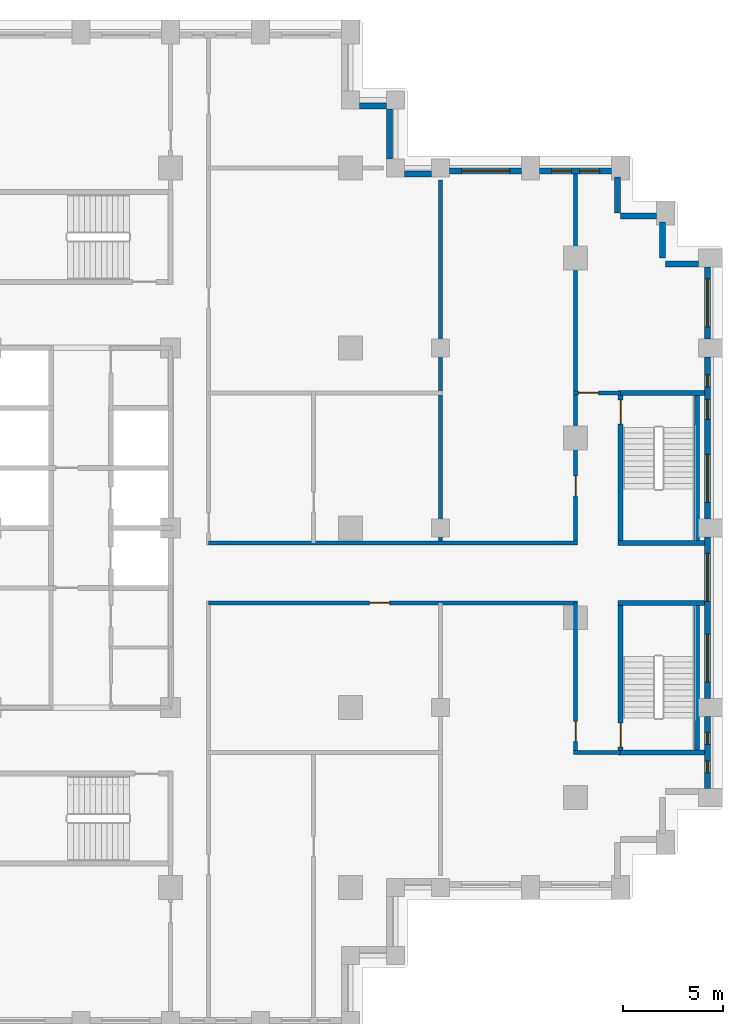
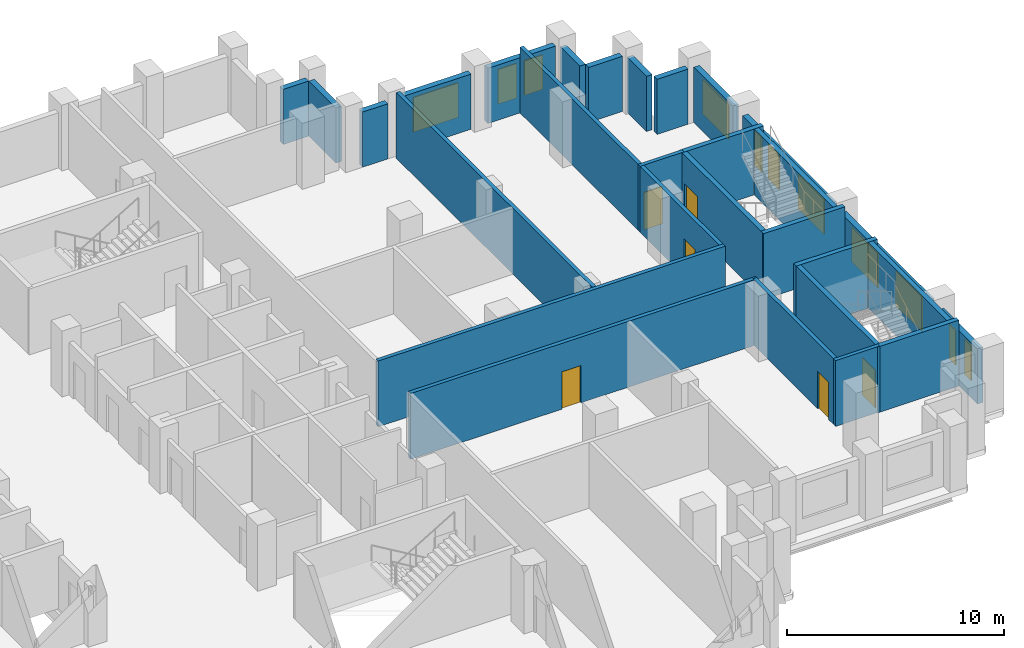
# One storey, part 12 of 16: 28 walls, 11 windows, 6 doors, 17 openings.
"""IFC4 building model written with IfcOpenShell, lengths in metres."""

from ifc_helpers import new_model, si_unit, direction, frame, frame_2d, origin, place, context, subcontext, project, spatial, rectangle, extrude, material, layer, layer_set, type_object, element, fill, save


model = new_model("IFC4")

# Units and contexts
model_context = context("Model", 3, precision=1e-05, world=origin(), true_north=direction((0.0, 1.0)))
body_context = subcontext(model_context, "Body", "Model", "MODEL_VIEW")
ifc_project = project(units=[si_unit("LENGTHUNIT", "METRE"), si_unit("AREAUNIT", "SQUARE_METRE"), si_unit("VOLUMEUNIT", "CUBIC_METRE"), si_unit("PLANEANGLEUNIT", "RADIAN"), si_unit("MASSUNIT", "GRAM", prefix="KILO")], contexts=[model_context])

# Site, building, storey
site_placement = place(None, origin())
site = spatial("IfcSite", under=ifc_project, at=site_placement, CompositionType="ELEMENT")
building_placement = place(site_placement, origin())
building = spatial("IfcBuilding", under=site, at=building_placement, Name="Corbelhall Arena Tower", CompositionType="ELEMENT")
storey_placement = place(building_placement, frame((0.0, 0.0, 72.0)))
storey = spatial("IfcBuildingStorey", under=building, at=storey_placement, Name="L10", CompositionType="ELEMENT", Elevation=72.0)

# Walls
ifc_material_1 = material(Name="Precast concrete C40/50 with granite facing", Category="masonry")
ifc_layer_1 = layer(ifc_material_1, 0.300048828125)
ifc_layer_set_1 = layer_set([ifc_layer_1], Name="EV-IW1 Infill panel 300")
wall_type_1 = type_object("IfcWallType", Name="EV-IW1 Infill panel 300", PredefinedType="SOLIDWALL", material=ifc_layer_set_1)
wall_1_placement = place(storey_placement, frame((39.89990234375, 13.199951171875, 0.0), z_axis=(0.0, 0.0, 1.0), x_axis=(-1.0, 0.0, 0.0)))
element("IfcWall", 1, at=wall_1_placement, inside=storey, type_object=wall_type_1, Name="Infill panel IW1", PredefinedType="SOLIDWALL", context=body_context, shape_type="SweptSolid", body=[
    extrude(rectangle(XDim=1.64990234375, YDim=0.300048828125, at=frame_2d((0.824951171875, 0.0))), origin(), (0.0, 0.0, 1.0), 3.10009765625),
])
for number, where, z_axis, x_axis, name in (
    (2, (38.10009765625, 15.300048828125, 0.0), (0.0, 0.0, 1.0), (0.0, -1.0, 0.0), "Infill panel IW1"),
    (3, (37.800048828125, 15.60009765625, 0.0), (0.0, 0.0, 1.0), (-1.0, 0.0, 0.0), "Infill panel IW1"),
    (4, (35.85009765625, 17.550048828125, 0.0), (0.0, 0.0, 1.0), (0.0, -1.0, 0.0), "Infill panel IW1"),
):
    element("IfcWall", number, at=place(storey_placement, frame(where, z_axis=z_axis, x_axis=x_axis)), inside=storey, type_object=wall_type_1, Name=name, PredefinedType="SOLIDWALL", context=body_context, shape_type="SweptSolid", body=[
        extrude(rectangle(XDim=1.800048828125, YDim=0.300048828125, at=frame_2d((0.89990234375, 0.0))), origin(), (0.0, 0.0, 1.0), 3.10009765625),
    ])

# Wall, openings, windows
wall_2_placement = place(storey_placement, frame((40.35009765625, -13.050048828125, 0.0), z_axis=(0.0, 0.0, 1.0), x_axis=(0.0, 1.0, 0.0)))
wall_2 = element("IfcWall", 5, at=wall_2_placement, inside=storey, type_object=wall_type_1, Name="Infill panel IW1", PredefinedType="SOLIDWALL", context=body_context, shape_type="SweptSolid", body=[
    extrude(rectangle(XDim=3.60009765625, YDim=0.300048828125, at=frame_2d((1.800048828125, 0.0))), origin(), (0.0, 0.0, 1.0), 3.10009765625),
])
opening_1_placement = place(wall_2_placement, frame((0.78759765625, 0.0, 0.800048828125)))
opening_1 = element("IfcOpeningElement", 6, at=opening_1_placement, cuts=wall_2, Name="Opening WN5", PredefinedType="OPENING", context=body_context, shape_type="SweptSolid", body=[
    extrude(rectangle(XDim=0.60009765625, YDim=1.949951171875, at=frame_2d((0.300048828125, 0.97509765625))), frame((0.0, 0.14990234375, 0.0), z_axis=(0.0, -1.0, 0.0), x_axis=(1.0, 0.0, 0.0)), (0.0, 0.0, 1.0), 0.300048828125),
])
opening_2_placement = place(wall_2_placement, frame((2.21240234375, 0.0, 0.800048828125)))
opening_2 = element("IfcOpeningElement", 7, at=opening_2_placement, cuts=wall_2, Name="Opening WN5", PredefinedType="OPENING", context=body_context, shape_type="SweptSolid", body=[
    extrude(rectangle(XDim=0.60009765625, YDim=1.949951171875, at=frame_2d((0.300048828125, 0.97509765625))), frame((0.0, 0.14990234375, 0.0), z_axis=(0.0, -1.0, 0.0), x_axis=(1.0, 0.0, 0.0)), (0.0, 0.0, 1.0), 0.300048828125),
])
ifc_material_2 = material(Name="Aluminium black anodised", Category="aluminium")
window_type_1 = type_object("IfcWindowType", Name="EV-WN5 Office window 600", PartitioningType="SINGLE_PANEL", PredefinedType="WINDOW", material=ifc_material_2)
window_1_placement = place(opening_1_placement, origin())
window_1 = element("IfcWindow", 8, at=window_1_placement, inside=storey, type_object=window_type_1, Name="Window WN5", OverallHeight=1.949951171875, OverallWidth=0.60009765625, PartitioningType="SINGLE_PANEL", PredefinedType="WINDOW", context=body_context, shape_type="SweptSolid", body=[
    extrude(rectangle(XDim=0.60009765625, YDim=1.949951171875, at=frame_2d((0.300048828125, 0.97509765625))), frame((0.0, 0.030029296875, 0.0), z_axis=(0.0, -1.0, 0.0), x_axis=(1.0, 0.0, 0.0)), (0.0, 0.0, 1.0), 0.06005859375),
])
fill(opening_1, window_1)
window_2_placement = place(opening_2_placement, origin())
window_2 = element("IfcWindow", 9, at=window_2_placement, inside=storey, type_object=window_type_1, Name="Window WN5", OverallHeight=1.949951171875, OverallWidth=0.60009765625, PartitioningType="SINGLE_PANEL", PredefinedType="WINDOW", context=body_context, shape_type="SweptSolid", body=[
    extrude(rectangle(XDim=0.60009765625, YDim=1.949951171875, at=frame_2d((0.300048828125, 0.97509765625))), frame((0.0, 0.030029296875, 0.0), z_axis=(0.0, -1.0, 0.0), x_axis=(1.0, 0.0, 0.0)), (0.0, 0.0, 1.0), 0.06005859375),
])
fill(opening_2, window_2)

wall_3_placement = place(storey_placement, frame((40.35009765625, -8.550048828125, 0.0), z_axis=(0.0, 0.0, 1.0), x_axis=(0.0, 1.0, 0.0)))
wall_3 = element("IfcWall", 10, at=wall_3_placement, inside=storey, type_object=wall_type_1, Name="Infill panel IW1", PredefinedType="SOLIDWALL", context=body_context, shape_type="SweptSolid", body=[
    extrude(rectangle(XDim=8.10009765625, YDim=0.300048828125, at=frame_2d((4.050048828125, 0.0))), origin(), (0.0, 0.0, 1.0), 3.10009765625),
])
opening_3_placement = place(wall_3_placement, frame((0.824951171875, 0.0, 0.800048828125)))
opening_3 = element("IfcOpeningElement", 11, at=opening_3_placement, cuts=wall_3, Name="Opening WN1", PredefinedType="OPENING", context=body_context, shape_type="SweptSolid", body=[
    extrude(rectangle(XDim=2.39990234375, YDim=1.949951171875, at=frame_2d((1.199951171875, 0.97509765625))), frame((0.0, 0.14990234375, 0.0), z_axis=(0.0, -1.0, 0.0), x_axis=(1.0, 0.0, 0.0)), (0.0, 0.0, 1.0), 0.300048828125),
])
opening_4_placement = place(wall_3_placement, frame((4.875, 0.0, 0.800048828125)))
opening_4 = element("IfcOpeningElement", 12, at=opening_4_placement, cuts=wall_3, Name="Opening WN1", PredefinedType="OPENING", context=body_context, shape_type="SweptSolid", body=[
    extrude(rectangle(XDim=2.39990234375, YDim=1.949951171875, at=frame_2d((1.199951171875, 0.97509765625))), frame((0.0, 0.14990234375, 0.0), z_axis=(0.0, -1.0, 0.0), x_axis=(1.0, 0.0, 0.0)), (0.0, 0.0, 1.0), 0.300048828125),
])
window_type_2 = type_object("IfcWindowType", Name="EV-WN1 Office window", PartitioningType="SINGLE_PANEL", PredefinedType="WINDOW", material=ifc_material_2)
window_3_placement = place(opening_3_placement, origin())
window_3 = element("IfcWindow", 13, at=window_3_placement, inside=storey, type_object=window_type_2, Name="Window WN1", OverallHeight=1.949951171875, OverallWidth=2.39990234375, PartitioningType="SINGLE_PANEL", PredefinedType="WINDOW", context=body_context, shape_type="SweptSolid", body=[
    extrude(rectangle(XDim=2.39990234375, YDim=1.949951171875, at=frame_2d((1.199951171875, 0.97509765625))), frame((0.0, 0.030029296875, 0.0), z_axis=(0.0, -1.0, 0.0), x_axis=(1.0, 0.0, 0.0)), (0.0, 0.0, 1.0), 0.06005859375),
])
fill(opening_3, window_3)
window_4_placement = place(opening_4_placement, origin())
window_4 = element("IfcWindow", 14, at=window_4_placement, inside=storey, type_object=window_type_2, Name="Window WN1", OverallHeight=1.949951171875, OverallWidth=2.39990234375, PartitioningType="SINGLE_PANEL", PredefinedType="WINDOW", context=body_context, shape_type="SweptSolid", body=[
    extrude(rectangle(XDim=2.39990234375, YDim=1.949951171875, at=frame_2d((1.199951171875, 0.97509765625))), frame((0.0, 0.030029296875, 0.0), z_axis=(0.0, -1.0, 0.0), x_axis=(1.0, 0.0, 0.0)), (0.0, 0.0, 1.0), 0.06005859375),
])
fill(opening_4, window_4)

wall_4_placement = place(storey_placement, frame((40.35009765625, 0.449951171875, 0.0), z_axis=(0.0, 0.0, 1.0), x_axis=(0.0, 1.0, 0.0)))
wall_4 = element("IfcWall", 15, at=wall_4_placement, inside=storey, type_object=wall_type_1, Name="Infill panel IW1", PredefinedType="SOLIDWALL", context=body_context, shape_type="SweptSolid", body=[
    extrude(rectangle(XDim=8.10009765625, YDim=0.300048828125, at=frame_2d((4.050048828125, 0.0))), origin(), (0.0, 0.0, 1.0), 3.10009765625),
])
opening_5_placement = place(wall_4_placement, frame((0.824951171875, 0.0, 0.800048828125)))
opening_5 = element("IfcOpeningElement", 16, at=opening_5_placement, cuts=wall_4, Name="Opening WN1", PredefinedType="OPENING", context=body_context, shape_type="SweptSolid", body=[
    extrude(rectangle(XDim=2.39990234375, YDim=1.949951171875, at=frame_2d((1.199951171875, 0.97509765625))), frame((0.0, 0.14990234375, 0.0), z_axis=(0.0, -1.0, 0.0), x_axis=(1.0, 0.0, 0.0)), (0.0, 0.0, 1.0), 0.300048828125),
])
opening_6_placement = place(wall_4_placement, frame((4.97509765625, 0.0, 0.800048828125)))
opening_6 = element("IfcOpeningElement", 17, at=opening_6_placement, cuts=wall_4, Name="Opening WN6", PredefinedType="OPENING", context=body_context, shape_type="SweptSolid", body=[
    extrude(rectangle(XDim=1.0, YDim=1.949951171875, at=frame_2d((0.5, 0.97509765625))), frame((0.0, 0.14990234375, 0.0), z_axis=(0.0, -1.0, 0.0), x_axis=(1.0, 0.0, 0.0)), (0.0, 0.0, 1.0), 0.300048828125),
])
opening_7_placement = place(wall_4_placement, frame((6.60009765625, 0.0, 0.800048828125)))
opening_7 = element("IfcOpeningElement", 18, at=opening_7_placement, cuts=wall_4, Name="Opening WN5", PredefinedType="OPENING", context=body_context, shape_type="SweptSolid", body=[
    extrude(rectangle(XDim=0.60009765625, YDim=1.949951171875, at=frame_2d((0.300048828125, 0.97509765625))), frame((0.0, 0.14990234375, 0.0), z_axis=(0.0, -1.0, 0.0), x_axis=(1.0, 0.0, 0.0)), (0.0, 0.0, 1.0), 0.300048828125),
])
window_5_placement = place(opening_5_placement, origin())
window_5 = element("IfcWindow", 19, at=window_5_placement, inside=storey, type_object=window_type_2, Name="Window WN1", OverallHeight=1.949951171875, OverallWidth=2.39990234375, PartitioningType="SINGLE_PANEL", PredefinedType="WINDOW", context=body_context, shape_type="SweptSolid", body=[
    extrude(rectangle(XDim=2.39990234375, YDim=1.949951171875, at=frame_2d((1.199951171875, 0.97509765625))), frame((0.0, 0.030029296875, 0.0), z_axis=(0.0, -1.0, 0.0), x_axis=(1.0, 0.0, 0.0)), (0.0, 0.0, 1.0), 0.06005859375),
])
fill(opening_5, window_5)
window_6_placement = place(opening_7_placement, origin())
window_6 = element("IfcWindow", 20, at=window_6_placement, inside=storey, type_object=window_type_1, Name="Window WN5", OverallHeight=1.949951171875, OverallWidth=0.60009765625, PartitioningType="SINGLE_PANEL", PredefinedType="WINDOW", context=body_context, shape_type="SweptSolid", body=[
    extrude(rectangle(XDim=0.60009765625, YDim=1.949951171875, at=frame_2d((0.300048828125, 0.97509765625))), frame((0.0, 0.030029296875, 0.0), z_axis=(0.0, -1.0, 0.0), x_axis=(1.0, 0.0, 0.0)), (0.0, 0.0, 1.0), 0.06005859375),
])
fill(opening_7, window_6)
window_type_3 = type_object("IfcWindowType", Name="EV-WN6 Office window 1000", PartitioningType="SINGLE_PANEL", PredefinedType="WINDOW", material=ifc_material_2)
window_7_placement = place(opening_6_placement, origin())
window_7 = element("IfcWindow", 21, at=window_7_placement, inside=storey, type_object=window_type_3, Name="Window WN6", OverallHeight=1.949951171875, OverallWidth=1.0, PartitioningType="SINGLE_PANEL", PredefinedType="WINDOW", context=body_context, shape_type="SweptSolid", body=[
    extrude(rectangle(XDim=1.0, YDim=1.949951171875, at=frame_2d((0.5, 0.97509765625))), frame((0.0, 0.030029296875, 0.0), z_axis=(0.0, -1.0, 0.0), x_axis=(1.0, 0.0, 0.0)), (0.0, 0.0, 1.0), 0.06005859375),
])
fill(opening_6, window_7)

# Wall, opening, window
wall_5_placement = place(storey_placement, frame((40.35009765625, 9.449951171875, 0.0), z_axis=(0.0, 0.0, 1.0), x_axis=(0.0, 1.0, 0.0)))
wall_5 = element("IfcWall", 22, at=wall_5_placement, inside=storey, type_object=wall_type_1, Name="Infill panel IW1", PredefinedType="SOLIDWALL", context=body_context, shape_type="SweptSolid", body=[
    extrude(rectangle(XDim=3.60009765625, YDim=0.300048828125, at=frame_2d((1.800048828125, 0.0))), origin(), (0.0, 0.0, 1.0), 3.10009765625),
])
opening_8_placement = place(wall_5_placement, frame((0.60009765625, 0.0, 0.800048828125)))
opening_8 = element("IfcOpeningElement", 23, at=opening_8_placement, cuts=wall_5, Name="Opening WN1", PredefinedType="OPENING", context=body_context, shape_type="SweptSolid", body=[
    extrude(rectangle(XDim=2.39990234375, YDim=1.949951171875, at=frame_2d((1.199951171875, 0.97509765625))), frame((0.0, 0.14990234375, 0.0), z_axis=(0.0, -1.0, 0.0), x_axis=(1.0, 0.0, 0.0)), (0.0, 0.0, 1.0), 0.300048828125),
])
window_8_placement = place(opening_8_placement, origin())
window_8 = element("IfcWindow", 24, at=window_8_placement, inside=storey, type_object=window_type_2, Name="Window WN1", OverallHeight=1.949951171875, OverallWidth=2.39990234375, PartitioningType="SINGLE_PANEL", PredefinedType="WINDOW", context=body_context, shape_type="SweptSolid", body=[
    extrude(rectangle(XDim=2.39990234375, YDim=1.949951171875, at=frame_2d((1.199951171875, 0.97509765625))), frame((0.0, 0.030029296875, 0.0), z_axis=(0.0, -1.0, 0.0), x_axis=(1.0, 0.0, 0.0)), (0.0, 0.0, 1.0), 0.06005859375),
])
fill(opening_8, window_8)

# Wall, openings, windows
wall_6_placement = place(storey_placement, frame((35.550048828125, 17.85009765625, 0.0), z_axis=(0.0, 0.0, 1.0), x_axis=(-1.0, 0.0, 0.0)))
wall_6 = element("IfcWall", 25, at=wall_6_placement, inside=storey, type_object=wall_type_1, Name="Infill panel IW1", PredefinedType="SOLIDWALL", context=body_context, shape_type="SweptSolid", body=[
    extrude(rectangle(XDim=3.60009765625, YDim=0.300048828125, at=frame_2d((1.800048828125, 0.0))), origin(), (0.0, 0.0, 1.0), 3.10009765625),
])
opening_9_placement = place(wall_6_placement, frame((0.60009765625, 0.0, 0.800048828125)))
opening_9 = element("IfcOpeningElement", 26, at=opening_9_placement, cuts=wall_6, Name="Opening WN6", PredefinedType="OPENING", context=body_context, shape_type="SweptSolid", body=[
    extrude(rectangle(XDim=1.0, YDim=1.949951171875, at=frame_2d((0.5, 0.97509765625))), frame((0.0, 0.14990234375, 0.0), z_axis=(0.0, -1.0, 0.0), x_axis=(1.0, 0.0, 0.0)), (0.0, 0.0, 1.0), 0.300048828125),
])
opening_10_placement = place(wall_6_placement, frame((2.0, 0.0, 0.800048828125)))
opening_10 = element("IfcOpeningElement", 27, at=opening_10_placement, cuts=wall_6, Name="Opening WN6", PredefinedType="OPENING", context=body_context, shape_type="SweptSolid", body=[
    extrude(rectangle(XDim=1.0, YDim=1.949951171875, at=frame_2d((0.5, 0.97509765625))), frame((0.0, 0.14990234375, 0.0), z_axis=(0.0, -1.0, 0.0), x_axis=(1.0, 0.0, 0.0)), (0.0, 0.0, 1.0), 0.300048828125),
])
window_9_placement = place(opening_9_placement, origin())
window_9 = element("IfcWindow", 28, at=window_9_placement, inside=storey, type_object=window_type_3, Name="Window WN6", OverallHeight=1.949951171875, OverallWidth=1.0, PartitioningType="SINGLE_PANEL", PredefinedType="WINDOW", context=body_context, shape_type="SweptSolid", body=[
    extrude(rectangle(XDim=1.0, YDim=1.949951171875, at=frame_2d((0.5, 0.97509765625))), frame((0.0, 0.030029296875, 0.0), z_axis=(0.0, -1.0, 0.0), x_axis=(1.0, 0.0, 0.0)), (0.0, 0.0, 1.0), 0.06005859375),
])
fill(opening_9, window_9)
window_10_placement = place(opening_10_placement, origin())
window_10 = element("IfcWindow", 29, at=window_10_placement, inside=storey, type_object=window_type_3, Name="Window WN6", OverallHeight=1.949951171875, OverallWidth=1.0, PartitioningType="SINGLE_PANEL", PredefinedType="WINDOW", context=body_context, shape_type="SweptSolid", body=[
    extrude(rectangle(XDim=1.0, YDim=1.949951171875, at=frame_2d((0.5, 0.97509765625))), frame((0.0, 0.030029296875, 0.0), z_axis=(0.0, -1.0, 0.0), x_axis=(1.0, 0.0, 0.0)), (0.0, 0.0, 1.0), 0.06005859375),
])
fill(opening_10, window_10)

# Wall, opening, window
wall_7_placement = place(storey_placement, frame((31.050048828125, 17.85009765625, 0.0), z_axis=(0.0, 0.0, 1.0), x_axis=(-1.0, 0.0, 0.0)))
wall_7 = element("IfcWall", 30, at=wall_7_placement, inside=storey, type_object=wall_type_1, Name="Infill panel IW1", PredefinedType="SOLIDWALL", context=body_context, shape_type="SweptSolid", body=[
    extrude(rectangle(XDim=3.60009765625, YDim=0.300048828125, at=frame_2d((1.800048828125, 0.0))), origin(), (0.0, 0.0, 1.0), 3.10009765625),
])
opening_11_placement = place(wall_7_placement, frame((0.60009765625, 0.0, 0.800048828125)))
opening_11 = element("IfcOpeningElement", 31, at=opening_11_placement, cuts=wall_7, Name="Opening WN1", PredefinedType="OPENING", context=body_context, shape_type="SweptSolid", body=[
    extrude(rectangle(XDim=2.39990234375, YDim=1.949951171875, at=frame_2d((1.199951171875, 0.97509765625))), frame((0.0, 0.14990234375, 0.0), z_axis=(0.0, -1.0, 0.0), x_axis=(1.0, 0.0, 0.0)), (0.0, 0.0, 1.0), 0.300048828125),
])
window_11_placement = place(opening_11_placement, origin())
window_11 = element("IfcWindow", 32, at=window_11_placement, inside=storey, type_object=window_type_2, Name="Window WN1", OverallHeight=1.949951171875, OverallWidth=2.39990234375, PartitioningType="SINGLE_PANEL", PredefinedType="WINDOW", context=body_context, shape_type="SweptSolid", body=[
    extrude(rectangle(XDim=2.39990234375, YDim=1.949951171875, at=frame_2d((1.199951171875, 0.97509765625))), frame((0.0, 0.030029296875, 0.0), z_axis=(0.0, -1.0, 0.0), x_axis=(1.0, 0.0, 0.0)), (0.0, 0.0, 1.0), 0.06005859375),
])
fill(opening_11, window_11)

# Walls
wall_8_placement = place(storey_placement, frame((26.550048828125, 17.699951171875, 0.0), z_axis=(0.0, 0.0, 1.0), x_axis=(-1.0, 0.0, 0.0)))
element("IfcWall", 33, at=wall_8_placement, inside=storey, type_object=wall_type_1, Name="Infill panel IW1", PredefinedType="SOLIDWALL", context=body_context, shape_type="SweptSolid", body=[
    extrude(rectangle(XDim=1.35009765625, YDim=0.300048828125, at=frame_2d((0.675048828125, 0.0))), origin(), (0.0, 0.0, 1.0), 3.10009765625),
])
wall_9_placement = place(storey_placement, frame((24.449951171875, 18.449951171875, 0.0), z_axis=(0.0, 0.0, 1.0), x_axis=(0.0, 1.0, 0.0)))
element("IfcWall", 34, at=wall_9_placement, inside=storey, type_object=wall_type_1, Name="Infill panel IW1", PredefinedType="SOLIDWALL", context=body_context, shape_type="SweptSolid", body=[
    extrude(rectangle(XDim=2.5, YDim=0.300048828125, at=frame_2d((1.25, 0.0))), origin(), (0.0, 0.0, 1.0), 3.10009765625),
])
wall_10_placement = place(storey_placement, frame((24.300048828125, 21.10009765625, 0.0), z_axis=(0.0, 0.0, 1.0), x_axis=(-1.0, 0.0, 0.0)))
element("IfcWall", 35, at=wall_10_placement, inside=storey, type_object=wall_type_1, Name="Infill panel IW1", PredefinedType="SOLIDWALL", context=body_context, shape_type="SweptSolid", body=[
    extrude(rectangle(XDim=1.35009765625, YDim=0.300048828125, at=frame_2d((0.675048828125, 0.0))), origin(), (0.0, 0.0, 1.0), 3.10009765625),
])
ifc_material_3 = material(Name="Gypsum board on steel stud, acoustic", Category="steel")
ifc_layer_2 = layer(ifc_material_3, 0.199951171875)
ifc_layer_set_2 = layer_set([ifc_layer_2], Name="IN-W-DM200")
wall_type_2 = type_object("IfcWallType", Name="IN-W-DM200", PredefinedType="PARTITIONING", material=ifc_layer_set_2)
wall_11_placement = place(storey_placement, frame((15.39990234375, -0.75, 0.0), z_axis=(0.0, 0.0, 1.0), x_axis=(1.0, 0.0, 0.0)))
element("IfcWall", 36, at=wall_11_placement, inside=storey, type_object=wall_type_2, Name="Partition 031", PredefinedType="PARTITIONING", context=body_context, shape_type="SweptSolid", body=[
    extrude(rectangle(XDim=18.4501953125, YDim=0.199951171875, at=frame_2d((9.22509765625, 0.0))), origin(), (0.0, 0.0, 1.0), 3.699951171875),
])
wall_12_placement = place(storey_placement, frame((27.0, 17.39990234375, 0.0), z_axis=(0.0, 0.0, 1.0), x_axis=(0.0, -1.0, 0.0)))
element("IfcWall", 37, at=wall_12_placement, inside=storey, type_object=wall_type_2, Name="Partition 038", PredefinedType="PARTITIONING", context=body_context, shape_type="SweptSolid", body=[
    extrude(rectangle(XDim=18.14990234375, YDim=0.199951171875, at=frame_2d((9.074951171875, 0.0))), origin(), (0.0, 0.0, 1.0), 3.699951171875),
])

# Wall, opening, door
wall_13_placement = place(storey_placement, frame((33.85009765625, -3.75, 0.0), z_axis=(0.0, 0.0, 1.0), x_axis=(-1.0, 0.0, 0.0)))
wall_13 = element("IfcWall", 38, at=wall_13_placement, inside=storey, type_object=wall_type_2, Name="Partition 039", PredefinedType="PARTITIONING", context=body_context, shape_type="SweptSolid", body=[
    extrude(rectangle(XDim=18.4501953125, YDim=0.199951171875, at=frame_2d((9.22509765625, 0.0))), origin(), (0.0, 0.0, 1.0), 3.699951171875),
])
opening_12_placement = place(wall_13_placement, frame((9.39990234375, 0.0, 0.0)))
opening_12 = element("IfcOpeningElement", 39, at=opening_12_placement, cuts=wall_13, Name="Opening 01039", PredefinedType="OPENING", context=body_context, shape_type="SweptSolid", body=[
    extrude(rectangle(XDim=1.0, YDim=2.10009765625, at=frame_2d((0.5, 1.050048828125))), frame((0.0, 0.10009765625, 0.0), z_axis=(0.0, -1.0, 0.0), x_axis=(1.0, 0.0, 0.0)), (0.0, 0.0, 1.0), 0.199951171875),
])
ifc_material_4 = material(Name="Steel door set", Category="steel")
door_type_1 = type_object("IfcDoorType", Name="IN-D-SW100", OperationType="NOTDEFINED", PredefinedType="DOOR", material=ifc_material_4)
door_1_placement = place(opening_12_placement, origin())
door_1 = element("IfcDoor", 40, at=door_1_placement, inside=storey, type_object=door_type_1, Name="Door 039", OperationType="SINGLE_SWING_RIGHT", OverallHeight=2.10009765625, OverallWidth=1.0, PredefinedType="DOOR", context=body_context, shape_type="SweptSolid", body=[
    extrude(rectangle(XDim=1.0, YDim=2.10009765625, at=frame_2d((0.5, 1.050048828125))), frame((0.0, 0.02490234375, 0.0), z_axis=(0.0, -1.0, 0.0), x_axis=(1.0, 0.0, 0.0)), (0.0, 0.0, 1.0), 0.050048828125),
])
fill(opening_12, door_1)

wall_14_placement = place(storey_placement, frame((33.64990234375, 6.75, 0.0), z_axis=(0.0, 0.0, 1.0), x_axis=(1.0, 0.0, 0.0)))
wall_14 = element("IfcWall", 41, at=wall_14_placement, inside=storey, type_object=wall_type_2, Name="Partition 040", PredefinedType="PARTITIONING", context=body_context, shape_type="SweptSolid", body=[
    extrude(rectangle(XDim=2.35009765625, YDim=0.199951171875, at=frame_2d((1.175048828125, 0.0))), origin(), (0.0, 0.0, 1.0), 3.699951171875),
])
opening_13_placement = place(wall_14_placement, frame((0.25, 0.0, 0.0)))
opening_13 = element("IfcOpeningElement", 42, at=opening_13_placement, cuts=wall_14, Name="Opening 01045", PredefinedType="OPENING", context=body_context, shape_type="SweptSolid", body=[
    extrude(rectangle(XDim=1.0, YDim=2.10009765625, at=frame_2d((0.5, 1.050048828125))), frame((0.0, 0.10009765625, 0.0), z_axis=(0.0, -1.0, 0.0), x_axis=(1.0, 0.0, 0.0)), (0.0, 0.0, 1.0), 0.199951171875),
])
door_2_placement = place(opening_13_placement, origin())
door_2 = element("IfcDoor", 43, at=door_2_placement, inside=storey, type_object=door_type_1, Name="Door 045", OperationType="SINGLE_SWING_RIGHT", OverallHeight=2.10009765625, OverallWidth=1.0, PredefinedType="DOOR", context=body_context, shape_type="SweptSolid", body=[
    extrude(rectangle(XDim=1.0, YDim=2.10009765625, at=frame_2d((0.5, 1.050048828125))), frame((0.0, 0.02490234375, 0.0), z_axis=(0.0, -1.0, 0.0), x_axis=(1.0, 0.0, 0.0)), (0.0, 0.0, 1.0), 0.050048828125),
])
fill(opening_13, door_2)

wall_15_placement = place(storey_placement, frame((33.75, -11.25, 0.0), z_axis=(0.0, 0.0, 1.0), x_axis=(0.0, 1.0, 0.0)))
wall_15 = element("IfcWall", 44, at=wall_15_placement, inside=storey, type_object=wall_type_2, Name="Partition 041", PredefinedType="PARTITIONING", context=body_context, shape_type="SweptSolid", body=[
    extrude(rectangle(XDim=7.5, YDim=0.199951171875, at=frame_2d((3.75, 0.0))), origin(), (0.0, 0.0, 1.0), 3.699951171875),
])
opening_14_placement = place(wall_15_placement, frame((0.550048828125, 0.0, 0.0)))
opening_14 = element("IfcOpeningElement", 45, at=opening_14_placement, cuts=wall_15, Name="Opening 01046", PredefinedType="OPENING", context=body_context, shape_type="SweptSolid", body=[
    extrude(rectangle(XDim=1.0, YDim=2.10009765625, at=frame_2d((0.5, 1.050048828125))), frame((0.0, 0.10009765625, 0.0), z_axis=(0.0, -1.0, 0.0), x_axis=(1.0, 0.0, 0.0)), (0.0, 0.0, 1.0), 0.199951171875),
])
door_3_placement = place(opening_14_placement, origin())
door_3 = element("IfcDoor", 46, at=door_3_placement, inside=storey, type_object=door_type_1, Name="Door 046", OperationType="SINGLE_SWING_LEFT", OverallHeight=2.10009765625, OverallWidth=1.0, PredefinedType="DOOR", context=body_context, shape_type="SweptSolid", body=[
    extrude(rectangle(XDim=1.0, YDim=2.10009765625, at=frame_2d((0.5, 1.050048828125))), frame((0.0, 0.02490234375, 0.0), z_axis=(0.0, -1.0, 0.0), x_axis=(1.0, 0.0, 0.0)), (0.0, 0.0, 1.0), 0.050048828125),
])
fill(opening_14, door_3)

wall_16_placement = place(storey_placement, frame((33.75, -0.75, 0.0), z_axis=(0.0, 0.0, 1.0), x_axis=(0.0, 1.0, 0.0)))
wall_16 = element("IfcWall", 47, at=wall_16_placement, inside=storey, type_object=wall_type_2, Name="Partition 042", PredefinedType="PARTITIONING", context=body_context, shape_type="SweptSolid", body=[
    extrude(rectangle(XDim=18.449951171875, YDim=0.199951171875, at=frame_2d((9.22509765625, 0.0))), origin(), (0.0, 0.0, 1.0), 3.699951171875),
])
opening_15_placement = place(wall_16_placement, frame((2.35009765625, 0.0, 0.0)))
opening_15 = element("IfcOpeningElement", 48, at=opening_15_placement, cuts=wall_16, Name="Opening 01044", PredefinedType="OPENING", context=body_context, shape_type="SweptSolid", body=[
    extrude(rectangle(XDim=1.0, YDim=2.10009765625, at=frame_2d((0.5, 1.050048828125))), frame((0.0, 0.10009765625, 0.0), z_axis=(0.0, -1.0, 0.0), x_axis=(1.0, 0.0, 0.0)), (0.0, 0.0, 1.0), 0.199951171875),
])
door_4_placement = place(opening_15_placement, origin())
door_4 = element("IfcDoor", 49, at=door_4_placement, inside=storey, type_object=door_type_1, Name="Door 044", OperationType="SINGLE_SWING_LEFT", OverallHeight=2.10009765625, OverallWidth=1.0, PredefinedType="DOOR", context=body_context, shape_type="SweptSolid", body=[
    extrude(rectangle(XDim=1.0, YDim=2.10009765625, at=frame_2d((0.5, 1.050048828125))), frame((0.0, 0.02490234375, 0.0), z_axis=(0.0, -1.0, 0.0), x_axis=(1.0, 0.0, 0.0)), (0.0, 0.0, 1.0), 0.050048828125),
])
fill(opening_15, door_4)

# Walls
wall_17_placement = place(storey_placement, frame((36.0, -11.25, 0.0), z_axis=(0.0, 0.0, 1.0), x_axis=(-1.0, 0.0, 0.0)))
element("IfcWall", 50, at=wall_17_placement, inside=storey, type_object=wall_type_2, Name="Partition 043", PredefinedType="PARTITIONING", context=body_context, shape_type="SweptSolid", body=[
    extrude(rectangle(XDim=2.35009765625, YDim=0.199951171875, at=frame_2d((1.175048828125, 0.0))), origin(), (0.0, 0.0, 1.0), 3.699951171875),
])
ifc_material_5 = material(Name="Concrete C40/50", Category="concrete")
ifc_layer_3 = layer(ifc_material_5, 0.25)
ifc_layer_set_3 = layer_set([ifc_layer_3], Name="IN-W-ST250")
wall_type_3 = type_object("IfcWallType", Name="IN-W-ST250", PredefinedType="SOLIDWALL", material=ifc_layer_set_3)
wall_18_placement = place(storey_placement, frame((35.875, -0.75, 0.0), z_axis=(0.0, 0.0, 1.0), x_axis=(1.0, 0.0, 0.0)))
element("IfcWall", 51, at=wall_18_placement, inside=storey, type_object=wall_type_3, Name="Shaft wall 105", PredefinedType="SOLIDWALL", context=body_context, shape_type="SweptSolid", body=[
    extrude(rectangle(XDim=4.324951171875, YDim=0.25, at=frame_2d((2.16259765625, 0.0))), origin(), (0.0, 0.0, 1.0), 3.699951171875),
])

# Wall, opening, door
wall_19_placement = place(storey_placement, frame((36.0, -11.375, 0.0), z_axis=(0.0, 0.0, 1.0), x_axis=(0.0, 1.0, 0.0)))
wall_19 = element("IfcWall", 52, at=wall_19_placement, inside=storey, type_object=wall_type_3, Name="Shaft wall 106", PredefinedType="SOLIDWALL", context=body_context, shape_type="SweptSolid", body=[
    extrude(rectangle(XDim=7.625, YDim=0.25, at=frame_2d((3.8125, 0.0))), origin(), (0.0, 0.0, 1.0), 3.699951171875),
])
opening_16_placement = place(wall_19_placement, frame((0.39990234375, 0.0, 0.0)))
opening_16 = element("IfcOpeningElement", 53, at=opening_16_placement, cuts=wall_19, Name="Opening 01021", PredefinedType="OPENING", context=body_context, shape_type="SweptSolid", body=[
    extrude(rectangle(XDim=1.199951171875, YDim=2.10009765625, at=frame_2d((0.60009765625, 1.050048828125))), frame((0.0, 0.125, 0.0), z_axis=(0.0, -1.0, 0.0), x_axis=(1.0, 0.0, 0.0)), (0.0, 0.0, 1.0), 0.25),
])
door_type_2 = type_object("IfcDoorType", Name="IN-D-ST120", OperationType="NOTDEFINED", PredefinedType="DOOR", material=ifc_material_4)
door_5_placement = place(opening_16_placement, origin())
door_5 = element("IfcDoor", 54, at=door_5_placement, inside=storey, type_object=door_type_2, Name="Door 021", OperationType="SINGLE_SWING_RIGHT", OverallHeight=2.10009765625, OverallWidth=1.199951171875, PredefinedType="DOOR", context=body_context, shape_type="SweptSolid", body=[
    extrude(rectangle(XDim=1.199951171875, YDim=2.10009765625, at=frame_2d((0.60009765625, 1.050048828125))), frame((0.0, 0.02490234375, 0.0), z_axis=(0.0, -1.0, 0.0), x_axis=(1.0, 0.0, 0.0)), (0.0, 0.0, 1.0), 0.050048828125),
])
fill(opening_16, door_5)

wall_20_placement = place(storey_placement, frame((36.0, -0.75, 0.0), z_axis=(0.0, 0.0, 1.0), x_axis=(0.0, 1.0, 0.0)))
wall_20 = element("IfcWall", 55, at=wall_20_placement, inside=storey, type_object=wall_type_3, Name="Shaft wall 107", PredefinedType="SOLIDWALL", context=body_context, shape_type="SweptSolid", body=[
    extrude(rectangle(XDim=7.625, YDim=0.25, at=frame_2d((3.8125, 0.0))), origin(), (0.0, 0.0, 1.0), 3.699951171875),
])
opening_17_placement = place(wall_20_placement, frame((5.949951171875, 0.0, 0.0)))
opening_17 = element("IfcOpeningElement", 56, at=opening_17_placement, cuts=wall_20, Name="Opening 01022", PredefinedType="OPENING", context=body_context, shape_type="SweptSolid", body=[
    extrude(rectangle(XDim=1.199951171875, YDim=2.10009765625, at=frame_2d((0.60009765625, 1.050048828125))), frame((0.0, 0.125, 0.0), z_axis=(0.0, -1.0, 0.0), x_axis=(1.0, 0.0, 0.0)), (0.0, 0.0, 1.0), 0.25),
])
door_6_placement = place(opening_17_placement, origin())
door_6 = element("IfcDoor", 57, at=door_6_placement, inside=storey, type_object=door_type_2, Name="Door 022", OperationType="SINGLE_SWING_LEFT", OverallHeight=2.10009765625, OverallWidth=1.199951171875, PredefinedType="DOOR", context=body_context, shape_type="SweptSolid", body=[
    extrude(rectangle(XDim=1.199951171875, YDim=2.10009765625, at=frame_2d((0.60009765625, 1.050048828125))), frame((0.0, 0.02490234375, 0.0), z_axis=(0.0, -1.0, 0.0), x_axis=(1.0, 0.0, 0.0)), (0.0, 0.0, 1.0), 0.050048828125),
])
fill(opening_17, door_6)

# Walls
for number, where, z_axis, x_axis, name in (
    (58, (36.0, 6.75, 0.0), (0.0, 0.0, 1.0), (1.0, 0.0, 0.0), "Shaft wall 108"),
    (59, (40.199951171875, -11.25, 0.0), (0.0, 0.0, 1.0), (-1.0, 0.0, 0.0), "Shaft wall 109"),
):
    element("IfcWall", number, at=place(storey_placement, frame(where, z_axis=z_axis, x_axis=x_axis)), inside=storey, type_object=wall_type_3, Name=name, PredefinedType="SOLIDWALL", context=body_context, shape_type="SweptSolid", body=[
        extrude(rectangle(XDim=4.199951171875, YDim=0.25, at=frame_2d((2.10009765625, 0.0))), origin(), (0.0, 0.0, 1.0), 3.699951171875),
    ])
wall_21_placement = place(storey_placement, frame((40.199951171875, -3.75, 0.0), z_axis=(0.0, 0.0, 1.0), x_axis=(-1.0, 0.0, 0.0)))
element("IfcWall", 60, at=wall_21_placement, inside=storey, type_object=wall_type_3, Name="Shaft wall 110", PredefinedType="SOLIDWALL", context=body_context, shape_type="SweptSolid", body=[
    extrude(rectangle(XDim=4.324951171875, YDim=0.25, at=frame_2d((2.16259765625, 0.0))), origin(), (0.0, 0.0, 1.0), 3.699951171875),
])
for number, where, z_axis, x_axis, name in (
    (61, (39.824951171875, -11.125, 0.0), (0.0, 0.0, 1.0), (0.0, 1.0, 0.0), "Shaft wall SD1 facade side"),
    (62, (39.824951171875, -0.625, 0.0), (0.0, 0.0, 1.0), (0.0, 1.0, 0.0), "Shaft wall SD2 facade side"),
):
    element("IfcWall", number, at=place(storey_placement, frame(where, z_axis=z_axis, x_axis=x_axis)), inside=storey, type_object=wall_type_3, Name=name, PredefinedType="SOLIDWALL", context=body_context, shape_type="SweptSolid", body=[
        extrude(rectangle(XDim=7.25, YDim=0.25, at=frame_2d((3.625, 0.0))), origin(), (0.0, 0.0, 1.0), 3.699951171875),
    ])

save(model, "model.ifc")
